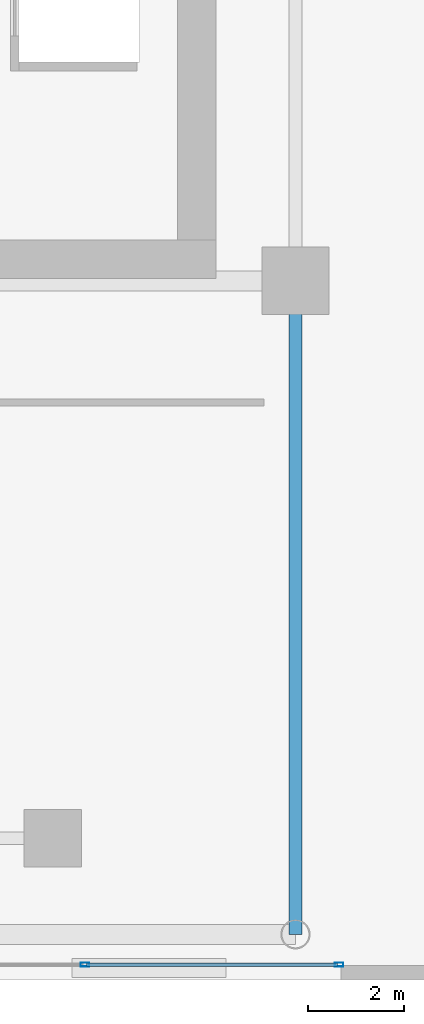
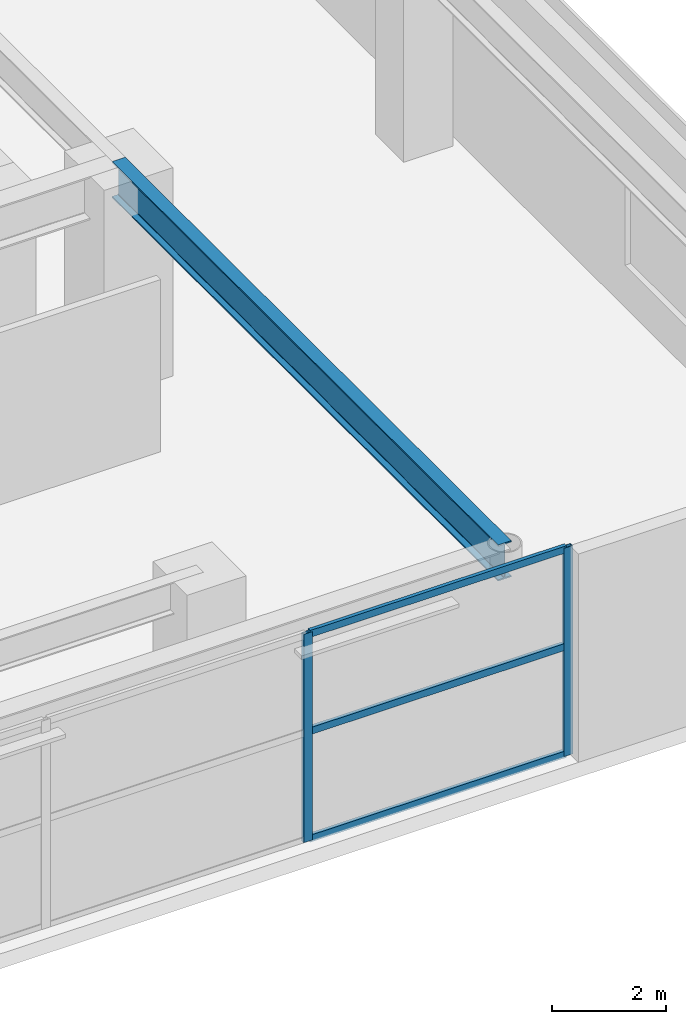
# One storey, part 10 of 28: 5 members, 1 beam, 1 element without a shape of its own.
"""IFC4 building model written with IfcOpenShell, lengths in metres."""

from ifc_helpers import new_model, si_unit, direction, frame, origin, origin_2d, place, context, subcontext, project, spatial, hollow_rectangle, i_section, extrude, source, transform, mapped, material, layer, layer_set, material_profile, profile_set, type_object, element, aggregate, save


model = new_model("IFC4")

# Units and contexts
model_context = context("Model", 3, precision=1e-05, world=origin(), true_north=direction((0.0, 1.0)))
body_context = subcontext(model_context, "Body", "Model", "MODEL_VIEW")
ifc_project = project(units=[si_unit("LENGTHUNIT", "METRE"), si_unit("AREAUNIT", "SQUARE_METRE"), si_unit("VOLUMEUNIT", "CUBIC_METRE"), si_unit("PLANEANGLEUNIT", "RADIAN"), si_unit("MASSUNIT", "GRAM", prefix="KILO")], contexts=[model_context])

# Site, building, storey
site_placement = place(None, origin())
site = spatial("IfcSite", under=ifc_project, at=site_placement, CompositionType="ELEMENT")
building_placement = place(site_placement, origin())
building = spatial("IfcBuilding", under=site, at=building_placement, Name="Ocotamira Hotel", CompositionType="ELEMENT")
storey_placement = place(building_placement, frame((0.0, 0.0, 24.0)))
storey = spatial("IfcBuildingStorey", under=building, at=storey_placement, Name="L05", CompositionType="ELEMENT", Elevation=24.0)

# Beam
ifc_material_1 = material(Name="Steel ASTM A992 Grade 50", Category="steel")
ifc_material_profile_1 = material_profile(ifc_material_1, i_section(OverallWidth=0.26611328125, OverallDepth=0.779052734375, WebThickness=0.0166015625, FlangeThickness=0.030029296875, FilletRadius=0.01806640625, at=origin_2d()), Name="W30X148")
ifc_profile_set_1 = profile_set([ifc_material_profile_1], Name="Steel ASTM A992 Grade 50")
beam_type = type_object("IfcBeamType", Name="BM-GIRD-W30X148", PredefinedType="BEAM", material=ifc_profile_set_1)
shared_shape_1 = source(origin(), body_context, "Body", "SweptSolid", [
    extrude(i_section(OverallWidth=0.26611328125, OverallDepth=0.779052734375, WebThickness=0.0166015625, FlangeThickness=0.030029296875, FilletRadius=0.01806640625, at=origin_2d()), origin(), (0.0, 0.0, 1.0), 13.60009765625),
])
beam_placement = place(storey_placement, frame((55.050048828125, 0.949951171875, 4.090576171875), z_axis=(0.0, 1.0, 0.0), x_axis=(-1.0, 0.0, 0.0)))
element("IfcBeam", 1, at=beam_placement, inside=storey, type_object=beam_type, Name="L05 Beam X55.05 Y0.95-14.55", PredefinedType="BEAM", context=body_context, shape_type="MappedRepresentation", body=[
    mapped(shared_shape_1, transform((0.0, 0.0, 0.0), scale=1.0)),
])

# Curtain wall, members
ifc_material_2 = material(Name="Anodised pale-metal aluminium and solar glass", Category="aluminium")
ifc_layer = layer(ifc_material_2, 0.219970703125)
ifc_layer_set = layer_set([ifc_layer], Name="Anodised pale-metal aluminium and solar glass")
curtain_wall_type = type_object("IfcCurtainWallType", Name="CW-SYS1-POD", PredefinedType="NOTDEFINED", material=ifc_layer_set)
curtain_wall_placement = place(storey_placement, origin())
curtain_wall = element("IfcCurtainWall", 2, at=curtain_wall_placement, inside=storey, type_object=curtain_wall_type, Name="L05 Curtain Wall CW-1 CW-L05-S3", PredefinedType="NOTDEFINED")
ifc_material_3 = material(Name="Anodised pale-metal aluminium 6063-T6", Category="aluminium")
ifc_material_profile_2 = material_profile(ifc_material_3, hollow_rectangle(XDim=0.080078125, YDim=0.179931640625, WallThickness=0.006103515625, at=origin_2d()), Name="HSS180X80X6")
ifc_profile_set_2 = profile_set([ifc_material_profile_2], Name="Anodised pale-metal aluminium 6063-T6")
member_type_1 = type_object("IfcMemberType", Name="CWM-180X75", PredefinedType="MULLION", material=ifc_profile_set_2)
shared_shape_2 = source(origin(), body_context, "Body", "SweptSolid", [
    extrude(hollow_rectangle(XDim=0.080078125, YDim=0.179931640625, WallThickness=0.006103515625, at=origin_2d()), origin(), (0.0, 0.0, 1.0), 4.47998046875),
])
member_1_placement = place(storey_placement, frame((50.666748046875, 0.320068359375, 0.0), z_axis=(0.0, 0.0, 1.0), x_axis=(0.0, 1.0, 0.0)))
member_1 = element("IfcMember", 3, at=member_1_placement, type_object=member_type_1, Name="CW-1 mullion 3", PredefinedType="MULLION", context=body_context, shape_type="MappedRepresentation", body=[
    mapped(shared_shape_2, transform((0.0, 0.0, 0.0), scale=1.0)),
])
member_2_placement = place(storey_placement, frame((55.9599609375, 0.320068359375, 0.0), z_axis=(0.0, 0.0, 1.0), x_axis=(0.0, 1.0, 0.0)))
member_2 = element("IfcMember", 4, at=member_2_placement, type_object=member_type_1, Name="CW-1 mullion 4", PredefinedType="MULLION", context=body_context, shape_type="MappedRepresentation", body=[
    mapped(shared_shape_2, transform((0.0, 0.0, 0.0), scale=1.0)),
])
ifc_material_profile_3 = material_profile(ifc_material_3, hollow_rectangle(XDim=0.074951171875, YDim=0.14990234375, WallThickness=0.006103515625, at=origin_2d()), Name="HSS150X75X6")
ifc_profile_set_3 = profile_set([ifc_material_profile_3], Name="Anodised pale-metal aluminium 6063-T6")
member_type_2 = type_object("IfcMemberType", Name="CWT-150X75", PredefinedType="USERDEFINED", material=ifc_profile_set_3)
shared_shape_3 = source(origin(), body_context, "Body", "SweptSolid", [
    extrude(hollow_rectangle(XDim=0.074951171875, YDim=0.14990234375, WallThickness=0.006103515625, at=origin_2d()), origin(), (0.0, 0.0, 1.0), 5.213134765625),
])
member_3_placement = place(storey_placement, frame((50.706787109375, 0.320068359375, 0.03759765625), z_axis=(1.0, 0.0, 0.0), x_axis=(0.0, 1.0, 0.0)))
member_3 = element("IfcMember", 5, at=member_3_placement, type_object=member_type_2, Name="CW-1 transom 3.1", ObjectType="TRANSOM", PredefinedType="USERDEFINED", context=body_context, shape_type="MappedRepresentation", body=[
    mapped(shared_shape_3, transform((0.0, 0.0, 0.0), scale=1.0)),
])
member_4_placement = place(storey_placement, frame((50.706787109375, 0.320068359375, 2.35009765625), z_axis=(1.0, 0.0, 0.0), x_axis=(0.0, 1.0, 0.0)))
member_4 = element("IfcMember", 6, at=member_4_placement, type_object=member_type_2, Name="CW-1 transom 3.2", ObjectType="TRANSOM", PredefinedType="USERDEFINED", context=body_context, shape_type="MappedRepresentation", body=[
    mapped(shared_shape_3, transform((0.0, 0.0, 0.0), scale=1.0)),
])
member_5_placement = place(storey_placement, frame((50.706787109375, 0.320068359375, 4.4423828125), z_axis=(1.0, 0.0, 0.0), x_axis=(0.0, 1.0, 0.0)))
member_5 = element("IfcMember", 7, at=member_5_placement, type_object=member_type_2, Name="CW-1 transom 3.3", ObjectType="TRANSOM", PredefinedType="USERDEFINED", context=body_context, shape_type="MappedRepresentation", body=[
    mapped(shared_shape_3, transform((0.0, 0.0, 0.0), scale=1.0)),
])
aggregate(curtain_wall, [member_1, member_2, member_3, member_4, member_5])

save(model, "model.ifc")
